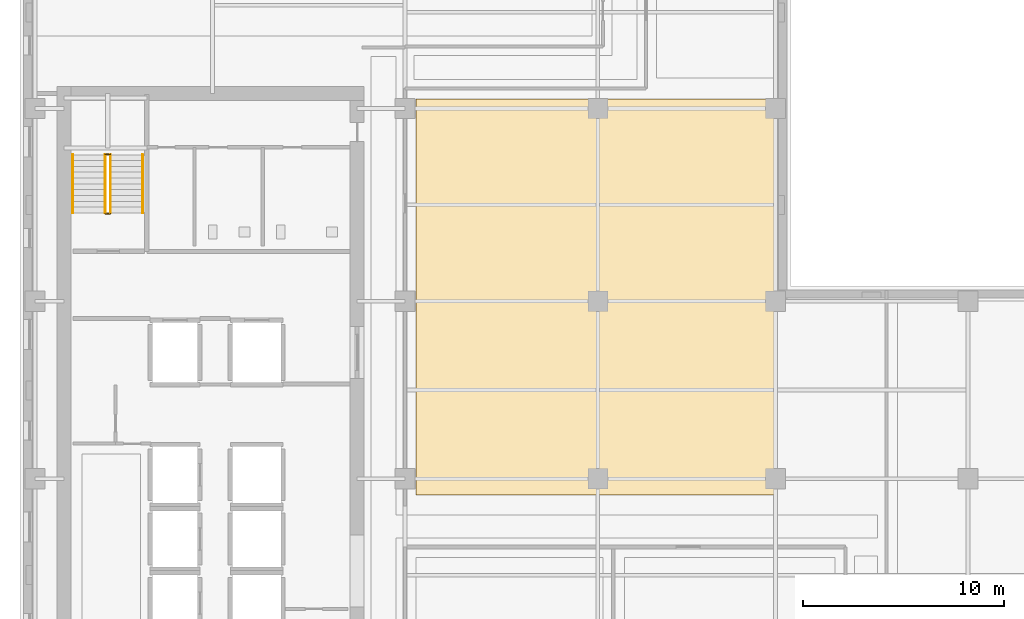
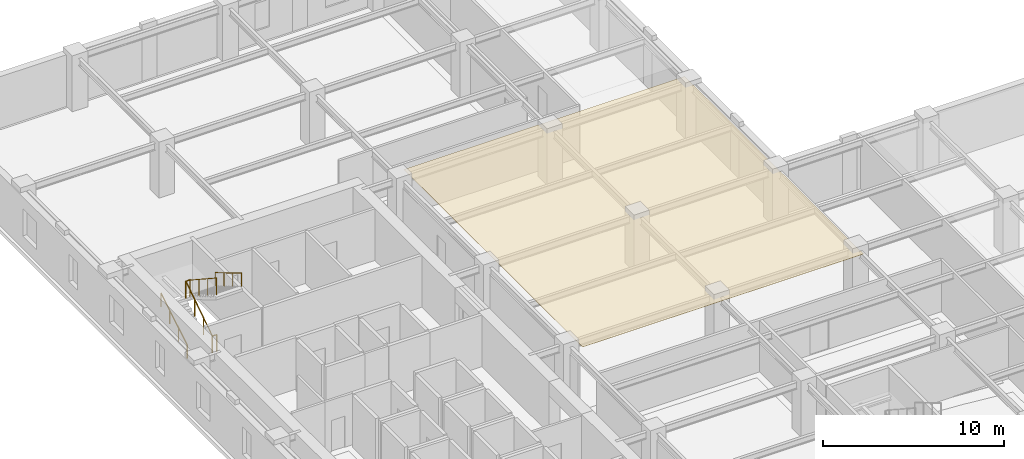
# One storey, part 10 of 12: 6 railings, 1 covering.
"""IFC4 building model written with IfcOpenShell, lengths in metres."""

from ifc_helpers import new_model, si_unit, direction, frame, origin, origin_2d, place, context, subcontext, project, spatial, polyline, circle, outline, extrude, material, layer, layer_set, type_object, element, save


model = new_model("IFC4")

# Units and contexts
model_context = context("Model", 3, precision=1e-05, world=origin(), true_north=direction((0.0, 1.0)))
body_context = subcontext(model_context, "Body", "Model", "MODEL_VIEW")
ifc_project = project(units=[si_unit("LENGTHUNIT", "METRE"), si_unit("AREAUNIT", "SQUARE_METRE"), si_unit("VOLUMEUNIT", "CUBIC_METRE"), si_unit("PLANEANGLEUNIT", "RADIAN"), si_unit("MASSUNIT", "GRAM", prefix="KILO")], contexts=[model_context])

# Site, building, storey
site_placement = place(None, origin())
site = spatial("IfcSite", under=ifc_project, at=site_placement, CompositionType="ELEMENT")
building_placement = place(site_placement, origin())
building = spatial("IfcBuilding", under=site, at=building_placement, Name="Norrvale University Quadrangle", CompositionType="ELEMENT")
storey_placement = place(building_placement, frame((0.0, 0.0, 147.0)))
storey = spatial("IfcBuildingStorey", under=building, at=storey_placement, Name="L37", CompositionType="ELEMENT", Elevation=147.0)

# Covering
ifc_material_1 = material(Name="Perforated Acoustic Mineral Ceiling")
ifc_layer = layer(ifc_material_1, 0.02490234375, Name="Perforated Acoustic Mineral Ceiling")
ifc_layer_set = layer_set([ifc_layer], Name="Perforated Acoustic Mineral Ceiling")
covering_type = type_object("IfcCoveringType", Name="Covering Acoustic Ceiling 25", PredefinedType="CEILING", material=ifc_layer_set)
covering_placement = place(storey_placement, frame((0.0, 0.0, 3.455078125)))
element("IfcCovering", 1, at=covering_placement, inside=storey, type_object=covering_type, Name="Acoustic Ceiling RM-L37-MNE01", PredefinedType="CEILING", context=body_context, shape_type="SweptSolid", body=[
    extrude(outline(polyline([(19.72998046875, 47.719970703125), (37.64990234375, 47.719970703125), (37.64990234375, 27.97998046875), (19.72998046875, 27.97998046875), (19.72998046875, 47.719970703125)])), origin(), (0.0, 0.0, 1.0), 0.02490234375),
])

# Railings
ifc_material_2 = material(Name="Steel 350W Painted Balustrade", Category="steel")
railing_type_1 = type_object("IfcRailingType", Name="Railing Stair Guard 1100", PredefinedType="GUARDRAIL", material=ifc_material_2)
for number, where, name in (
    (2, (4.239990234375, 42.02001953125, 0.0), "Stair Floor Well Guard ST-02 L37"),
    (3, (4.239990234375, 44.97998046875, 1.89990234375), "Stair Mid-Landing Slot Guard ST-02 L37"),
):
    element("IfcRailing", number, at=place(storey_placement, frame(where)), inside=storey, type_object=railing_type_1, Name=name, PredefinedType="GUARDRAIL", context=body_context, shape_type="SweptSolid", body=[
        extrude(circle(Radius=0.02392578125, at=origin_2d()), frame((0.0, 0.0, 1.1259765625), z_axis=(1.0, 0.0, 0.0), x_axis=(0.0, 1.0, 0.0)), (0.0, 0.0, 1.0), 0.27001953125),
        extrude(circle(Radius=0.02099609375, at=origin_2d()), origin(), (0.0, 0.0, 1.0), 1.101806640625),
        extrude(circle(Radius=0.02099609375, at=origin_2d()), frame((0.27001953125, 0.0, 0.0)), (0.0, 0.0, 1.0), 1.101806640625),
    ])
railing_1_placement = place(storey_placement, frame((4.239990234375, 42.050048828125, 0.0)))
element("IfcRailing", 4, at=railing_1_placement, inside=storey, type_object=railing_type_1, Name="Stair Lower Flight Inner Guard ST-02 L37", PredefinedType="GUARDRAIL", context=body_context, shape_type="SweptSolid", body=[
    extrude(circle(Radius=0.02392578125, at=origin_2d()), frame((0.0, 0.0, 1.1259765625), z_axis=(0.0, 0.836465582154, 0.548019461216), x_axis=(-1.0, 0.0, 0.0)), (0.0, 0.0, 1.0), 3.466796875),
    extrude(circle(Radius=0.02099609375, at=origin_2d()), origin(), (0.0, 0.0, 1.0), 1.101806640625),
    extrude(circle(Radius=0.02099609375, at=origin_2d()), frame((0.0, 0.966552734375, 0.63330078125)), (0.0, 0.0, 1.0), 1.101806640625),
    extrude(circle(Radius=0.02099609375, at=origin_2d()), frame((0.0, 1.933349609375, 1.2666015625)), (0.0, 0.0, 1.0), 1.101806640625),
    extrude(circle(Radius=0.02099609375, at=origin_2d()), frame((0.0, 2.89990234375, 1.89990234375)), (0.0, 0.0, 1.0), 1.101806640625),
])
railing_2_placement = place(storey_placement, frame((4.510009765625, 44.949951171875, 1.89990234375)))
element("IfcRailing", 5, at=railing_2_placement, inside=storey, type_object=railing_type_1, Name="Stair Upper Flight Inner Guard ST-02 L37", PredefinedType="GUARDRAIL", context=body_context, shape_type="SweptSolid", body=[
    extrude(circle(Radius=0.02392578125, at=origin_2d()), frame((0.0, 0.0, 1.1259765625), z_axis=(0.0, -0.836433300813, 0.548068730445), x_axis=(1.0, 0.0, 0.0)), (0.0, 0.0, 1.0), 3.467041015625),
    extrude(circle(Radius=0.02099609375, at=origin_2d()), origin(), (0.0, 0.0, 1.0), 1.101806640625),
    extrude(circle(Radius=0.02099609375, at=origin_2d()), frame((0.0, -0.966552734375, 0.63330078125)), (0.0, 0.0, 1.0), 1.101806640625),
    extrude(circle(Radius=0.02099609375, at=origin_2d()), frame((0.0, -1.933349609375, 1.266845703125)), (0.0, 0.0, 1.0), 1.101806640625),
    extrude(circle(Radius=0.02099609375, at=origin_2d()), frame((0.0, -2.89990234375, 1.900146484375)), (0.0, 0.0, 1.0), 1.101806640625),
])
ifc_material_3 = material(Name="Stainless Steel 316L Handrail", Category="steel")
railing_type_2 = type_object("IfcRailingType", Name="Railing Stair Handrail 920", PredefinedType="HANDRAIL", material=ifc_material_3)
railing_3_placement = place(storey_placement, frame((2.639892578125, 42.050048828125, 0.172607421875)))
element("IfcRailing", 6, at=railing_3_placement, inside=storey, type_object=railing_type_2, Name="Stair Lower Flight Handrail ST-02 L37", PredefinedType="HANDRAIL", context=body_context, shape_type="SweptSolid", body=[
    extrude(circle(Radius=0.02392578125, at=origin_2d()), frame((0.0, 0.0, 0.89599609375), z_axis=(0.0, 0.859141464434, 0.511738159696), x_axis=(-1.0, 0.0, 0.0)), (0.0, 0.0, 1.0), 3.375244140625),
    extrude(circle(Radius=0.02099609375, at=origin_2d()), origin(), (0.0, 0.0, 1.0), 0.871826171875),
    extrude(circle(Radius=0.02099609375, at=origin_2d()), frame((0.0, 0.966552734375, 0.57568359375)), (0.0, 0.0, 1.0), 0.871826171875),
    extrude(circle(Radius=0.02099609375, at=origin_2d()), frame((0.0, 1.933349609375, 1.151611328125)), (0.0, 0.0, 1.0), 0.871826171875),
    extrude(circle(Radius=0.02099609375, at=origin_2d()), frame((0.0, 2.89990234375, 1.727294921875)), (0.0, 0.0, 1.0), 0.871826171875),
])
railing_4_placement = place(storey_placement, frame((6.110107421875, 44.949951171875, 2.07275390625)))
element("IfcRailing", 7, at=railing_4_placement, inside=storey, type_object=railing_type_2, Name="Stair Upper Flight Handrail ST-02 L37", PredefinedType="HANDRAIL", context=body_context, shape_type="SweptSolid", body=[
    extrude(circle(Radius=0.02392578125, at=origin_2d()), frame((0.0, 0.0, 0.89599609375), z_axis=(0.0, -0.859141464434, 0.511738159696), x_axis=(1.0, 0.0, 0.0)), (0.0, 0.0, 1.0), 3.375244140625),
    extrude(circle(Radius=0.02099609375, at=origin_2d()), origin(), (0.0, 0.0, 1.0), 0.871826171875),
    extrude(circle(Radius=0.02099609375, at=origin_2d()), frame((0.0, -0.966552734375, 0.57568359375)), (0.0, 0.0, 1.0), 0.871826171875),
    extrude(circle(Radius=0.02099609375, at=origin_2d()), frame((0.0, -1.933349609375, 1.151611328125)), (0.0, 0.0, 1.0), 0.871826171875),
    extrude(circle(Radius=0.02099609375, at=origin_2d()), frame((0.0, -2.89990234375, 1.727294921875)), (0.0, 0.0, 1.0), 0.871826171875),
])

save(model, "model.ifc")
